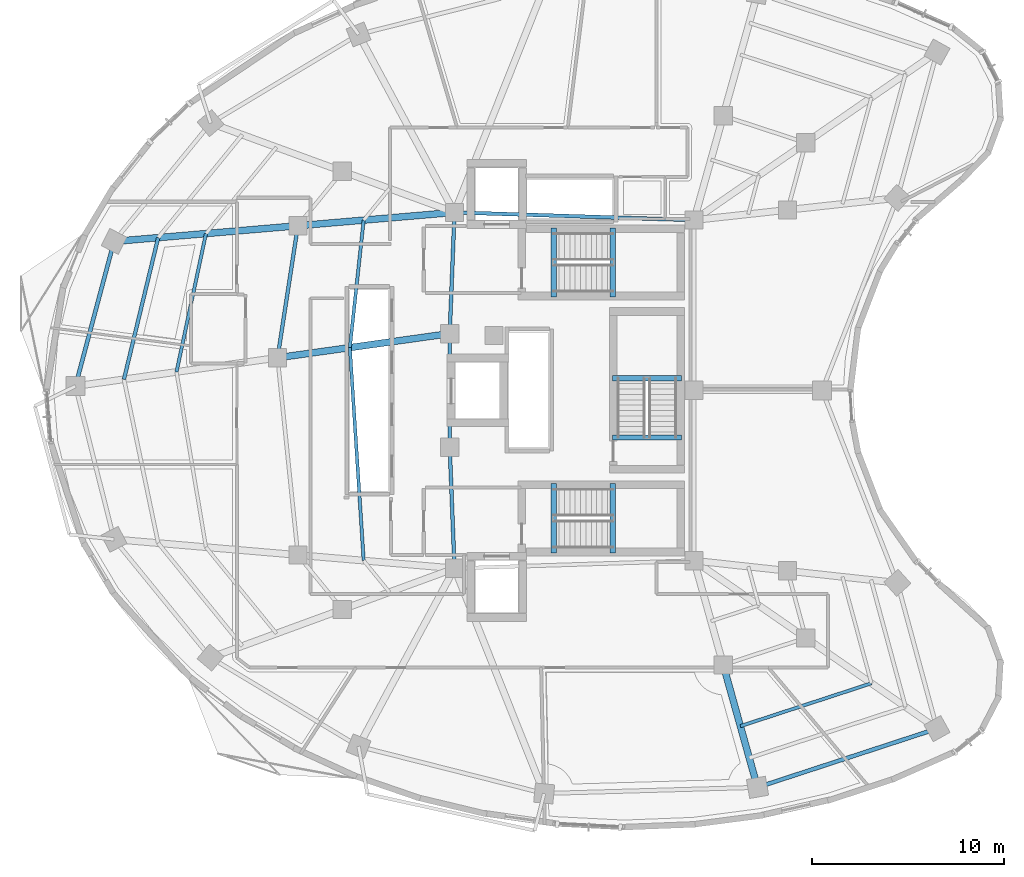
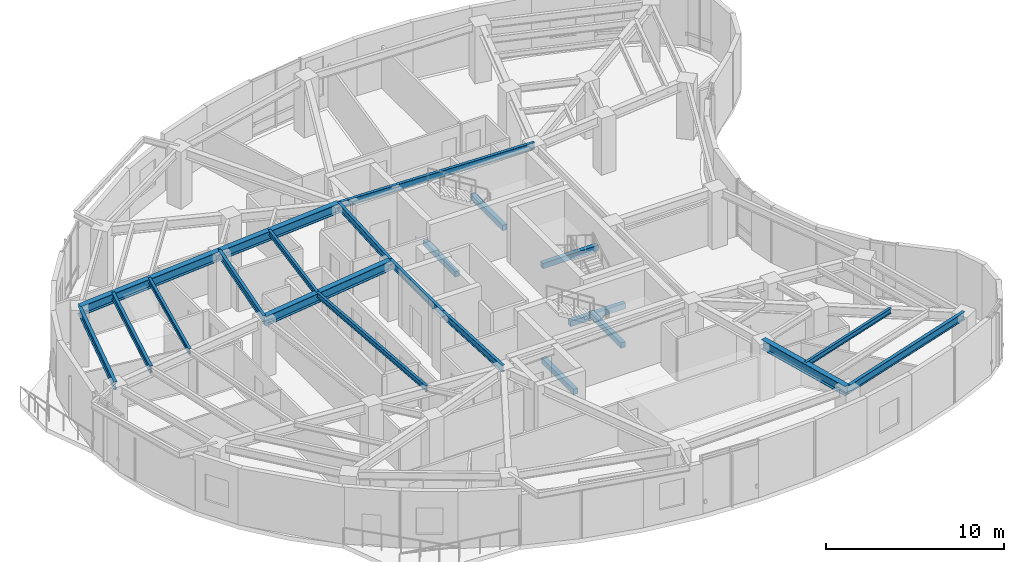
# One storey, part 3 of 15: 22 beams.
"""IFC4 building model written with IfcOpenShell, lengths in metres."""

import ifcopenshell
import ifcopenshell.guid

model = None  # the IFC model being written
_history = None  # IfcOwnerHistory: only IFC2X3 demands one
_inside = {}  # id of a spatial element -> (the spatial element, [elements in it])
_under = {}  # id of a project, library or spatial element -> (it, [spatial elements below it])
_declared = {}  # id of a project -> (the project, [libraries it declares])
_typed = {}  # id of a type object -> (the type object, [elements of that type])
_made_of = {}  # id of a material, layer set ... -> (it, [elements and type objects made of it])


def new_model(schema):
    """Start an empty IFC model of exactly this schema.

    Asked for "IFC4X3", IfcOpenShell would pick the latest addendum, in which some entities
    have other attributes; the version numbers below select the first issue.
    IFC2X3 requires an IfcOwnerHistory on every rooted entity: one is made here for all.
    """
    global model, _history
    if schema == "IFC4X3":
        model = ifcopenshell.file(schema_version=(4, 3, 0, 0))
    else:
        model = ifcopenshell.file(schema=schema)
    _inside.clear()
    _under.clear()
    _declared.clear()
    _typed.clear()
    _made_of.clear()
    _history = None
    if model.schema == "IFC2X3":
        org = make("IfcOrganization", Name="unknown")
        user = make(
            "IfcPersonAndOrganization",
            ThePerson=make("IfcPerson", FamilyName="unknown"),
            TheOrganization=org,
        )
        app = make(
            "IfcApplication",
            ApplicationDeveloper=org,
            Version="unknown",
            ApplicationFullName="unknown",
            ApplicationIdentifier="unknown",
        )
        _history = make(
            "IfcOwnerHistory",
            OwningUser=user,
            OwningApplication=app,
            ChangeAction="ADDED",
            CreationDate=0,
        )
    return model


def make(cls, **values):
    """One entity of the class cls with the attributes given. An attribute that is None is left unset."""
    return model.create_entity(
        cls, **{name: value for name, value in values.items() if value is not None}
    )


def rooted(cls, **values):
    """An entity with a GlobalId (a new one), such as an element, a storey or a relation."""
    return make(cls, GlobalId=ifcopenshell.guid.new(), OwnerHistory=_history, **values)


def si_unit(unit_type, name, prefix=None):
    """IfcSIUnit, for example si_unit("LENGTHUNIT", "METRE", prefix="MILLI")."""
    return make("IfcSIUnit", UnitType=unit_type, Prefix=prefix, Name=name)


def assignment(units):
    """IfcUnitAssignment: the units of a project."""
    return None if units is None else make("IfcUnitAssignment", Units=units)


def point(xyz):
    """IfcCartesianPoint."""
    return None if xyz is None else make("IfcCartesianPoint", Coordinates=xyz)


def direction(xyz):
    """IfcDirection."""
    return None if xyz is None else make("IfcDirection", DirectionRatios=xyz)


def frame(location, z_axis=None, x_axis=None):
    """IfcAxis2Placement3D, a coordinate frame: its origin and axes. An axis left out is left unset."""
    return make(
        "IfcAxis2Placement3D",
        Location=point(location),
        Axis=direction(z_axis),
        RefDirection=direction(x_axis),
    )


def frame_2d(location, x_axis=None):
    """IfcAxis2Placement2D, a coordinate frame in the plane: its origin and x axis."""
    return make(
        "IfcAxis2Placement2D", Location=point(location), RefDirection=direction(x_axis)
    )


def origin():
    """The frame at (0, 0, 0) with its axes left unset."""
    return frame((0.0, 0.0, 0.0))


def origin_2d():
    """The frame at (0, 0) in the plane with its x axis left unset."""
    return frame_2d((0.0, 0.0))


def place(relative_to, where):
    """IfcLocalPlacement: puts the frame where relative to a parent placement (None: the world)."""
    return make(
        "IfcLocalPlacement", PlacementRelTo=relative_to, RelativePlacement=where
    )


def context(
    kind, dimensions, precision=None, world=None, true_north=None, identifier=None
):
    """IfcGeometricRepresentationContext, for example the 3D "Model" context."""
    return make(
        "IfcGeometricRepresentationContext",
        ContextIdentifier=identifier,
        ContextType=kind,
        CoordinateSpaceDimension=dimensions,
        Precision=precision,
        WorldCoordinateSystem=world,
        TrueNorth=true_north,
    )


def subcontext(parent, identifier, kind, view, scale=None):
    """IfcGeometricRepresentationSubContext, for example "Body" below "Model"."""
    return make(
        "IfcGeometricRepresentationSubContext",
        ContextIdentifier=identifier,
        ContextType=kind,
        ParentContext=parent,
        TargetScale=scale,
        TargetView=view,
    )


def project(units=None, contexts=None):
    """IfcProject with its units and contexts."""
    return rooted(
        "IfcProject",
        Name="project",
        RepresentationContexts=contexts,
        UnitsInContext=assignment(units),
    )


def spatial(cls, under=None, at=None, **own):
    """A site, building, storey or space (cls), placed at a placement, below another one or the project."""
    s = rooted(cls, ObjectPlacement=at, **own)
    if under is not None:
        _under.setdefault(under.id(), (under, []))[1].append(s)
    return s


def profile(cls, at=None, kind="AREA", **sizes):
    """A parametric profile (cls). Its sizes go by their IFC names, for example OverallWidth=200.0."""
    return make(cls, ProfileType=kind, Position=at, **sizes)


def rectangle(**sizes):
    """IfcRectangleProfileDef."""
    return profile("IfcRectangleProfileDef", **sizes)


def i_section(**sizes):
    """IfcIShapeProfileDef."""
    return profile("IfcIShapeProfileDef", **sizes)


def extrude(swept, where, along, depth):
    """IfcExtrudedAreaSolid: the profile swept, set in the frame where, extruded along a direction by depth."""
    return make(
        "IfcExtrudedAreaSolid",
        SweptArea=swept,
        Position=where,
        ExtrudedDirection=direction(along),
        Depth=depth,
    )


def shape(context_of_items, identifier, shape_type, items):
    """IfcShapeRepresentation: the items that make up one representation, for example the "Body"."""
    return make(
        "IfcShapeRepresentation",
        ContextOfItems=context_of_items,
        RepresentationIdentifier=identifier,
        RepresentationType=shape_type,
        Items=items,
    )


def material(Name=None, Category=None):
    """IfcMaterial."""
    return make("IfcMaterial", Name=Name, Category=Category)


def material_profile(
    of_material, cross_section, Name=None, Category=None, Priority=None
):
    """IfcMaterialProfile: a cross section and its material."""
    return make(
        "IfcMaterialProfile",
        Name=Name,
        Material=of_material,
        Profile=cross_section,
        Priority=Priority,
        Category=Category,
    )


def profile_set(profiles, Name=None, composite=None):
    """IfcMaterialProfileSet."""
    return make(
        "IfcMaterialProfileSet",
        Name=Name,
        MaterialProfiles=profiles,
        CompositeProfile=composite,
    )


def made_of(thing, what):
    """Note that an element or type object is made of a material, layer set ...; save() writes the relation."""
    if what is not None:
        _made_of.setdefault(what.id(), (what, []))[1].append(thing)
    return thing


def type_object(cls, material=None, **own):
    """A type object (cls), such as IfcWallType, which elements share."""
    return made_of(rooted(cls, **own), material)


def element(
    cls,
    number,
    at=None,
    inside=None,
    cuts=None,
    type_object=None,
    material=None,
    context=None,
    identifier="Body",
    shape_type=None,
    held_by="IfcProductDefinitionShape",
    body=None,
    shapes=None,
    **own,
):
    """One element of the class cls, such as IfcWall. Its Tag is "e" and its number.

    at: its placement. inside: the storey or other place that contains it. cuts: it is an
    opening in that element (IfcRelVoidsElement). A single representation is given by context,
    identifier, shape_type and body (its items); several are given by shapes. held_by: the class
    of the entity that holds the representations. save() writes the other relations.
    """
    e = rooted(cls, Tag="e%d" % number, ObjectPlacement=at, **own)
    if body is not None:
        shapes = [shape(context, identifier, shape_type, body)]
    if shapes is not None:
        e.Representation = make(held_by, Representations=shapes)
    if inside is not None:
        _inside.setdefault(inside.id(), (inside, []))[1].append(e)
    if cuts is not None:
        rooted(
            "IfcRelVoidsElement", RelatingBuildingElement=cuts, RelatedOpeningElement=e
        )
    if type_object is not None:
        _typed.setdefault(type_object.id(), (type_object, []))[1].append(e)
    return made_of(e, material)


def aggregate(whole, parts):
    """IfcRelAggregates: a whole, such as a stair, and the parts it consists of."""
    return rooted("IfcRelAggregates", RelatingObject=whole, RelatedObjects=parts)


def save(model, path):
    """Write the relations noted so far, then the file.

    IfcRelAggregates (storeys below a building ...), IfcRelContainedInSpatialStructure (elements
    in a storey), IfcRelDefinesByType, IfcRelAssociatesMaterial and IfcRelDeclares: one each for
    every whole, place, type object, material and project.
    """
    for whole, parts in _under.values():
        aggregate(whole, parts)
    for where, things in _inside.values():
        rooted(
            "IfcRelContainedInSpatialStructure",
            RelatedElements=things,
            RelatingStructure=where,
        )
    for kind, things in _typed.values():
        rooted("IfcRelDefinesByType", RelatedObjects=things, RelatingType=kind)
    for what, things in _made_of.values():
        rooted("IfcRelAssociatesMaterial", RelatedObjects=things, RelatingMaterial=what)
    for by, libraries in _declared.values():
        rooted("IfcRelDeclares", RelatingContext=by, RelatedDefinitions=libraries)
    model.write(path)


model = new_model("IFC4")

# Units and contexts
model_context = context("Model", 3, precision=1e-05, world=origin(), true_north=direction((0.0, 1.0)))
body_context = subcontext(model_context, "Body", "Model", "MODEL_VIEW")
ifc_project = project(units=[si_unit("LENGTHUNIT", "METRE"), si_unit("AREAUNIT", "SQUARE_METRE"), si_unit("VOLUMEUNIT", "CUBIC_METRE"), si_unit("PLANEANGLEUNIT", "RADIAN"), si_unit("MASSUNIT", "GRAM", prefix="KILO")], contexts=[model_context])

# Site, building, storey
site_placement = place(None, origin())
site = spatial("IfcSite", under=ifc_project, at=site_placement, CompositionType="ELEMENT")
building_placement = place(site_placement, origin())
building = spatial("IfcBuilding", under=site, at=building_placement, Name="Korentha Bioscience Tower", CompositionType="ELEMENT")
storey_placement = place(building_placement, frame((0.0, 0.0, 222.60009765625)))
storey = spatial("IfcBuildingStorey", under=building, at=storey_placement, Name="L51", CompositionType="ELEMENT", Elevation=222.60009765625)

# Beams
ifc_material_1 = material(Name="Concrete C50", Category="concrete")
ifc_material_profile_1 = material_profile(ifc_material_1, rectangle(XDim=0.280029296875, YDim=0.3798828125, at=origin_2d()), Name="Concrete C50")
ifc_profile_set_1 = profile_set([ifc_material_profile_1], Name="Concrete C50 (ST-HB380)")
beam_type_1 = type_object("IfcBeamType", Name="Concrete Stair Header Beam RC 280x380", PredefinedType="BEAM", material=ifc_profile_set_1)
for number, where, z_axis, x_axis, name in (
    (1, (30.25, 31.85009765625, -0.190185546875), (0.0, 1.0, 0.0), (-1.0, 0.0, 0.0), "L51 ST-1 Concrete Stair Header Beam"),
    (2, (33.330078125, 31.85009765625, 1.909912109375), (0.0, 1.0, 0.0), (-1.0, 0.0, 0.0), "L51 ST-1 Half-Landing Header Beam 1"),
    (3, (30.25, 18.550048828125, -0.190185546875), (0.0, 1.0, 0.0), (-1.0, 0.0, 0.0), "L51 ST-2 Concrete Stair Header Beam"),
    (4, (33.330078125, 18.550048828125, 1.909912109375), (0.0, 1.0, 0.0), (-1.0, 0.0, 0.0), "L51 ST-2 Half-Landing Header Beam 1"),
    (5, (36.89990234375, 24.550048828125, -0.190185546875), (-1.0, 0.0, 0.0), (0.0, -1.0, 0.0), "L51 ST-3 Concrete Stair Header Beam"),
    (6, (36.89990234375, 27.6298828125, 1.909912109375), (-1.0, 0.0, 0.0), (0.0, -1.0, 0.0), "L51 ST-3 Half-Landing Header Beam 1"),
):
    element("IfcBeam", number, at=place(storey_placement, frame(where, z_axis=z_axis, x_axis=x_axis)), inside=storey, type_object=beam_type_1, Name=name, PredefinedType="BEAM", context=body_context, shape_type="SweptSolid", body=[
        extrude(rectangle(XDim=0.280029296875, YDim=0.3798828125, at=origin_2d()), origin(), (0.0, 0.0, 1.0), 3.599853515625),
    ])
ifc_material_2 = material(Name="Steel S355", Category="steel")
ifc_material_profile_2 = material_profile(ifc_material_2, i_section(OverallWidth=0.18994140625, OverallDepth=0.45703125, WebThickness=0.009033203125, FlangeThickness=0.014404296875, at=origin_2d()), Name="Steel S355")
ifc_profile_set_2 = profile_set([ifc_material_profile_2], Name="Steel S355 (MB-460)")
beam_type_2 = type_object("IfcBeamType", Name="Mid-Ring Tie Girder W460x74", PredefinedType="BEAM", material=ifc_profile_set_2)
beam_1_placement = place(storey_placement, frame((16.96044921875, 35.555908203125, 3.67138671875), z_axis=(-0.152313520838, -0.988332227224, 0.0), x_axis=(0.988332227224, -0.152313520838, 0.0)))
element("IfcBeam", 7, at=beam_1_placement, inside=storey, type_object=beam_type_2, Name="L51 Mid-Ring Tie Girder 06", PredefinedType="BEAM", context=body_context, shape_type="SweptSolid", body=[
    extrude(i_section(OverallWidth=0.18994140625, OverallDepth=0.45703125, WebThickness=0.009033203125, FlangeThickness=0.014404296875, at=origin_2d()), origin(), (0.0, 0.0, 1.0), 6.942138671875),
])
beam_2_placement = place(storey_placement, frame((37.550048828125, 35.85009765625, 3.67138671875), z_axis=(-0.999484526071, 0.032104238723, 0.0), x_axis=(-0.032104238723, -0.999484526071, 0.0)))
element("IfcBeam", 8, at=beam_2_placement, inside=storey, type_object=beam_type_2, Name="L51 Core Ring Tie Girder 01", PredefinedType="BEAM", context=body_context, shape_type="SweptSolid", body=[
    extrude(i_section(OverallWidth=0.18994140625, OverallDepth=0.45703125, WebThickness=0.009033203125, FlangeThickness=0.014404296875, at=origin_2d()), origin(), (0.0, 0.0, 1.0), 12.456298828125),
])
beam_3_placement = place(storey_placement, frame((25.10009765625, 36.25, 3.67138671875), z_axis=(-0.039651025576, -0.999213588864, 0.0), x_axis=(0.999213588864, -0.039651025576, 0.0)))
element("IfcBeam", 9, at=beam_3_placement, inside=storey, type_object=beam_type_2, Name="L51 Core Ring Tie Girder 02", PredefinedType="BEAM", context=body_context, shape_type="SweptSolid", body=[
    extrude(i_section(OverallWidth=0.18994140625, OverallDepth=0.45703125, WebThickness=0.009033203125, FlangeThickness=0.014404296875, at=origin_2d()), origin(), (0.0, 0.0, 1.0), 6.304931640625),
])
beam_4_placement = place(storey_placement, frame((24.85009765625, 29.949951171875, 3.67138671875), z_axis=(0.0, -1.0, 0.0), x_axis=(1.0, 0.0, 0.0)))
element("IfcBeam", 10, at=beam_4_placement, inside=storey, type_object=beam_type_2, Name="L51 Core Ring Tie Girder 03", PredefinedType="BEAM", context=body_context, shape_type="SweptSolid", body=[
    extrude(i_section(OverallWidth=0.18994140625, OverallDepth=0.45703125, WebThickness=0.009033203125, FlangeThickness=0.014404296875, at=origin_2d()), origin(), (0.0, 0.0, 1.0), 5.89990234375),
])
beam_5_placement = place(storey_placement, frame((24.85009765625, 24.050048828125, 3.67138671875), z_axis=(0.039651025576, -0.999213588864, 0.0), x_axis=(0.999213588864, 0.039651025576, 0.0)))
element("IfcBeam", 11, at=beam_5_placement, inside=storey, type_object=beam_type_2, Name="L51 Core Ring Tie Girder 04", PredefinedType="BEAM", context=body_context, shape_type="SweptSolid", body=[
    extrude(i_section(OverallWidth=0.18994140625, OverallDepth=0.45703125, WebThickness=0.009033203125, FlangeThickness=0.014404296875, at=origin_2d()), origin(), (0.0, 0.0, 1.0), 6.304931640625),
])
ifc_material_profile_3 = material_profile(ifc_material_2, i_section(OverallWidth=0.208984375, OverallDepth=0.532958984375, WebThickness=0.01025390625, FlangeThickness=0.015625, at=origin_2d()), Name="Steel S355")
ifc_profile_set_3 = profile_set([ifc_material_profile_3], Name="Steel S355 (SB-530)")
beam_type_3 = type_object("IfcBeamType", Name="Perimeter Ring Spandrel Girder W530x92", PredefinedType="SPANDREL", material=ifc_profile_set_3)
beam_6_placement = place(storey_placement, frame((7.4052734375, 34.741455078125, 3.63330078125), z_axis=(-0.257674365533, -0.966231815532, 0.0), x_axis=(0.966231815532, -0.257674365533, 0.0)))
element("IfcBeam", 12, at=beam_6_placement, inside=storey, type_object=beam_type_3, Name="L51 Perimeter Spandrel Girder 06", PredefinedType="SPANDREL", context=body_context, shape_type="SweptSolid", body=[
    extrude(i_section(OverallWidth=0.208984375, OverallDepth=0.532958984375, WebThickness=0.01025390625, FlangeThickness=0.015625, at=origin_2d()), origin(), (0.0, 0.0, 1.0), 7.782470703125),
])
beam_7_placement = place(storey_placement, frame((40.846923828125, 6.367919921875, 3.63330078125), z_axis=(0.950449256032, 0.310879738338, 0.0), x_axis=(-0.310879738338, 0.950449256032, 0.0)))
element("IfcBeam", 13, at=beam_7_placement, inside=storey, type_object=beam_type_3, Name="L51 Perimeter Spandrel Girder 12", PredefinedType="SPANDREL", context=body_context, shape_type="SweptSolid", body=[
    extrude(i_section(OverallWidth=0.208984375, OverallDepth=0.532958984375, WebThickness=0.01025390625, FlangeThickness=0.015625, at=origin_2d()), origin(), (0.0, 0.0, 1.0), 9.81494140625),
])
ifc_material_profile_4 = material_profile(ifc_material_2, i_section(OverallWidth=0.18994140625, OverallDepth=0.45703125, WebThickness=0.009033203125, FlangeThickness=0.014404296875, at=origin_2d()), Name="Steel S355")
ifc_profile_set_4 = profile_set([ifc_material_profile_4], Name="Steel S355 (RB-460)")
beam_type_4 = type_object("IfcBeamType", Name="Radial Laboratory Beam W460x74", PredefinedType="BEAM", material=ifc_profile_set_4)
beam_8_placement = place(storey_placement, frame((9.698486328125, 34.93701171875, 3.67138671875), z_axis=(-0.234745571737, -0.972056848415, 0.0), x_axis=(0.972056848415, -0.234745571737, 0.0)))
element("IfcBeam", 14, at=beam_8_placement, inside=storey, type_object=beam_type_4, Name="L51 Secondary Floor Beam JSTO-06", PredefinedType="BEAM", context=body_context, shape_type="SweptSolid", body=[
    extrude(i_section(OverallWidth=0.18994140625, OverallDepth=0.45703125, WebThickness=0.009033203125, FlangeThickness=0.014404296875, at=origin_2d()), origin(), (0.0, 0.0, 1.0), 7.573486328125),
])
ifc_material_profile_5 = material_profile(ifc_material_2, i_section(OverallWidth=0.35009765625, OverallDepth=0.64990234375, WebThickness=0.01611328125, FlangeThickness=0.02490234375, at=origin_2d()), Name="Steel S355")
ifc_profile_set_5 = profile_set([ifc_material_profile_5], Name="Steel S355 (RB-650)")
beam_type_5 = type_object("IfcBeamType", Name="Radial Laboratory Girder CVS 650x208", PredefinedType="BEAM", material=ifc_profile_set_5)
beam_9_placement = place(storey_placement, frame((25.10009765625, 36.25, 3.574951171875), z_axis=(-0.996383970884, -0.084964595957, 0.0), x_axis=(0.084964595957, -0.996383970884, 0.0)))
element("IfcBeam", 15, at=beam_9_placement, inside=storey, type_object=beam_type_5, Name="L51 Inner Radial Girder 06", PredefinedType="BEAM", context=body_context, shape_type="SweptSolid", body=[
    extrude(i_section(OverallWidth=0.35009765625, OverallDepth=0.64990234375, WebThickness=0.01611328125, FlangeThickness=0.02490234375, at=origin_2d()), origin(), (0.0, 0.0, 1.0), 8.169189453125),
])
beam_10_placement = place(storey_placement, frame((16.96044921875, 35.555908203125, 3.574951171875), z_axis=(-0.996387014591, -0.084928894698, 0.0), x_axis=(0.084928894698, -0.996387014591, 0.0)))
element("IfcBeam", 16, at=beam_10_placement, inside=storey, type_object=beam_type_5, Name="L51 Outer Radial Girder 06", PredefinedType="BEAM", context=body_context, shape_type="SweptSolid", body=[
    extrude(i_section(OverallWidth=0.35009765625, OverallDepth=0.64990234375, WebThickness=0.01611328125, FlangeThickness=0.02490234375, at=origin_2d()), origin(), (0.0, 0.0, 1.0), 9.58984375),
])
beam_11_placement = place(storey_placement, frame((24.85009765625, 29.949951171875, 3.574951171875), z_axis=(-0.990303045163, -0.138924003471, 0.0), x_axis=(0.138924003471, -0.990303045163, 0.0)))
element("IfcBeam", 17, at=beam_11_placement, inside=storey, type_object=beam_type_5, Name="L51 Inner Radial Girder 07", PredefinedType="BEAM", context=body_context, shape_type="SweptSolid", body=[
    extrude(i_section(OverallWidth=0.35009765625, OverallDepth=0.64990234375, WebThickness=0.01611328125, FlangeThickness=0.02490234375, at=origin_2d()), origin(), (0.0, 0.0, 1.0), 9.03466796875),
])
beam_12_placement = place(storey_placement, frame((39.066650390625, 12.730224609375, 3.574951171875), z_axis=(0.269465439817, -0.963010060562, 0.0), x_axis=(0.963010060562, 0.269465439817, 0.0)))
element("IfcBeam", 18, at=beam_12_placement, inside=storey, type_object=beam_type_5, Name="L51 Outer Radial Girder 12", PredefinedType="BEAM", context=body_context, shape_type="SweptSolid", body=[
    extrude(i_section(OverallWidth=0.35009765625, OverallDepth=0.64990234375, WebThickness=0.01611328125, FlangeThickness=0.02490234375, at=origin_2d()), origin(), (0.0, 0.0, 1.0), 6.606689453125),
])
ifc_material_profile_6 = material_profile(ifc_material_2, i_section(OverallWidth=0.1708984375, OverallDepth=0.35498046875, WebThickness=0.007080078125, FlangeThickness=0.01171875, at=origin_2d()), Name="Steel S355")
ifc_profile_set_6 = profile_set([ifc_material_profile_6], Name="Steel S355 (JB-360)")
beam_type_6 = type_object("IfcBeamType", Name="Secondary Laboratory Joist W360x51", PredefinedType="JOIST", material=ifc_profile_set_6)
beam_13_placement = place(storey_placement, frame((12.182861328125, 35.148681640625, 3.722412109375), z_axis=(-0.208286097384, -0.978067943262, 0.0), x_axis=(0.978067943262, -0.208286097384, 0.0)))
element("IfcBeam", 19, at=beam_13_placement, inside=storey, type_object=beam_type_6, Name="L51 Secondary Floor Beam JST-06", PredefinedType="JOIST", context=body_context, shape_type="SweptSolid", body=[
    extrude(i_section(OverallWidth=0.1708984375, OverallDepth=0.35498046875, WebThickness=0.007080078125, FlangeThickness=0.01171875, at=origin_2d()), origin(), (0.0, 0.0, 1.0), 7.3515625),
])
beam_14_placement = place(storey_placement, frame((20.37890625, 35.847412109375, 3.722412109375), z_axis=(-0.107777397045, -0.99417505133, 0.0), x_axis=(0.99417505133, -0.107777397045, 0.0)))
element("IfcBeam", 20, at=beam_14_placement, inside=storey, type_object=beam_type_6, Name="L51 Inner Bay Joist 06", PredefinedType="JOIST", context=body_context, shape_type="SweptSolid", body=[
    extrude(i_section(OverallWidth=0.1708984375, OverallDepth=0.35498046875, WebThickness=0.007080078125, FlangeThickness=0.01171875, at=origin_2d()), origin(), (0.0, 0.0, 1.0), 6.664306640625),
])
beam_15_placement = place(storey_placement, frame((19.66064453125, 29.221923828125, 3.722412109375), z_axis=(0.064751345522, -0.997901429628, 0.0), x_axis=(0.997901429628, 0.064751345522, 0.0)))
element("IfcBeam", 21, at=beam_15_placement, inside=storey, type_object=beam_type_6, Name="L51 Inner Bay Joist 07", PredefinedType="JOIST", context=body_context, shape_type="SweptSolid", body=[
    extrude(i_section(OverallWidth=0.1708984375, OverallDepth=0.35498046875, WebThickness=0.007080078125, FlangeThickness=0.01171875, at=origin_2d()), origin(), (0.0, 0.0, 1.0), 11.092529296875),
])
beam_16_placement = place(storey_placement, frame((39.956787109375, 9.54931640625, 3.722412109375), z_axis=(0.950453704863, 0.310866136646, 0.0), x_axis=(-0.310866136646, 0.950453704863, 0.0)))
element("IfcBeam", 22, at=beam_16_placement, inside=storey, type_object=beam_type_6, Name="L51 Secondary Floor Beam JST-12", PredefinedType="JOIST", context=body_context, shape_type="SweptSolid", body=[
    extrude(i_section(OverallWidth=0.1708984375, OverallDepth=0.35498046875, WebThickness=0.007080078125, FlangeThickness=0.01171875, at=origin_2d()), origin(), (0.0, 0.0, 1.0), 7.164794921875),
])

save(model, "model.ifc")
